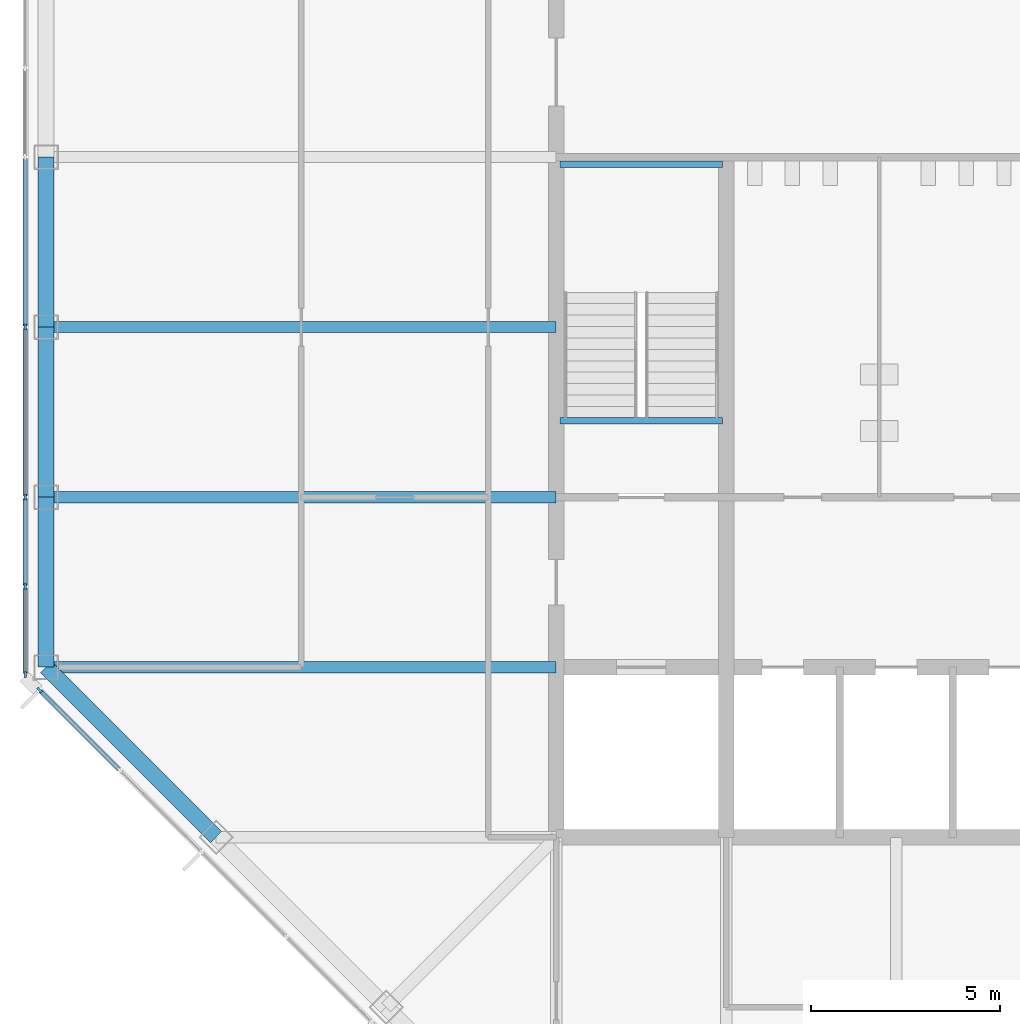
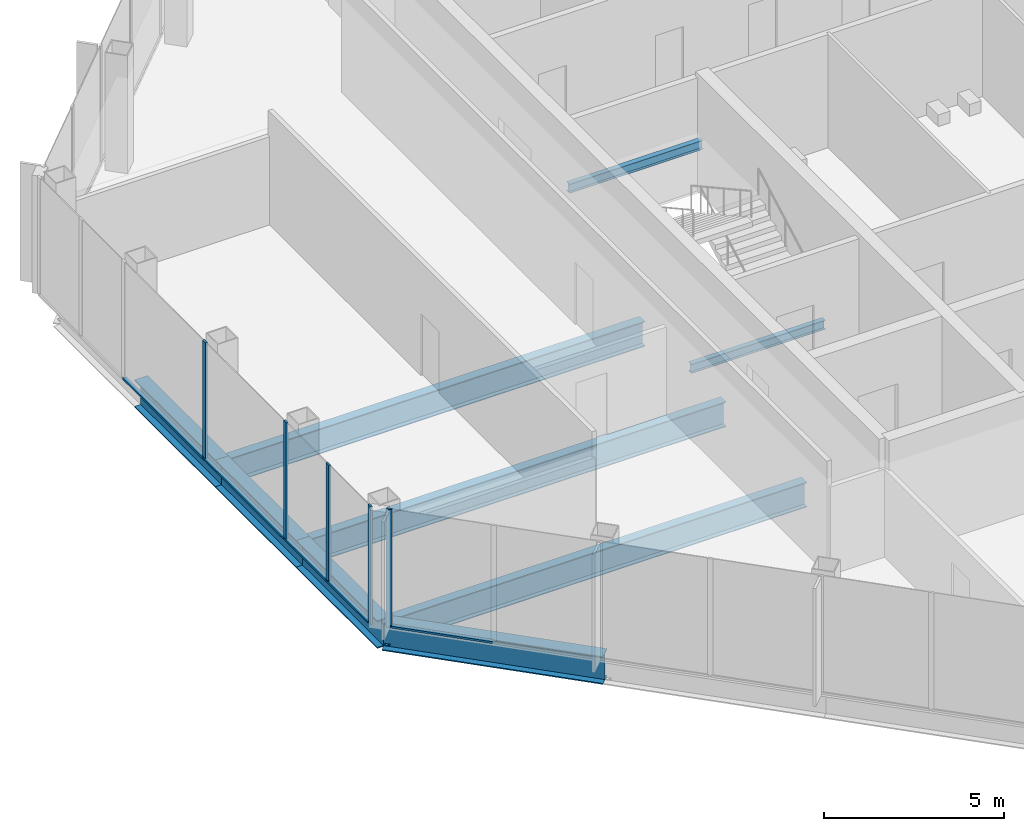
# One storey, part 3 of 13: 10 members, 9 beams, 2 elements without a shape of their own.
"""IFC4 building model written with IfcOpenShell, lengths in metres."""

from ifc_helpers import new_model, si_unit, direction, frame, origin, origin_2d, place, context, subcontext, project, spatial, rectangle, i_section, extrude, material, material_profile, profile_set, type_object, element, aggregate, save


model = new_model("IFC4")

# Units and contexts
model_context = context("Model", 3, precision=1e-05, world=origin(), true_north=direction((0.0, 1.0)))
body_context = subcontext(model_context, "Body", "Model", "MODEL_VIEW")
ifc_project = project(units=[si_unit("LENGTHUNIT", "METRE"), si_unit("AREAUNIT", "SQUARE_METRE"), si_unit("VOLUMEUNIT", "CUBIC_METRE"), si_unit("PLANEANGLEUNIT", "RADIAN"), si_unit("MASSUNIT", "GRAM", prefix="KILO")], contexts=[model_context])

# Site, building, storey
site_placement = place(None, origin())
site = spatial("IfcSite", under=ifc_project, at=site_placement, CompositionType="ELEMENT")
building_placement = place(site_placement, origin())
building = spatial("IfcBuilding", under=site, at=building_placement, Name="Corais Broadcast Tower", CompositionType="ELEMENT")
storey_placement = place(building_placement, frame((0.0, 0.0, 210.60009765625)))
storey = spatial("IfcBuildingStorey", under=building, at=storey_placement, Name="L48", CompositionType="ELEMENT", Elevation=210.60009765625)

# Beams
ifc_material_1 = material(Name="Steel ASTM A572 Grade 50", Category="steel")
ifc_material_profile_1 = material_profile(ifc_material_1, i_section(OverallWidth=0.2939453125, OverallDepth=0.85107421875, WebThickness=0.01611328125, FlangeThickness=0.02685546875, at=origin_2d()), Name="W840x226")
ifc_profile_set_1 = profile_set([ifc_material_profile_1], Name="Steel ASTM A572 Grade 50")
beam_type_1 = type_object("IfcBeamType", Name="Floor beam W840x226", PredefinedType="BEAM", material=ifc_profile_set_1)
for number, where, z_axis, x_axis, name in (
    (1, (0.0, 18.0, -0.585693359375), (1.0, 0.0, 0.0), (0.0, 1.0, 0.0), "B1 E/3 to E/6"),
    (2, (0.0, 22.5, -0.585693359375), (1.0, 0.0, 0.0), (0.0, 1.0, 0.0), "B1 F/3 to F/6"),
    (3, (0.0, 27.0, -0.585693359375), (1.0, 0.0, 0.0), (0.0, 1.0, 0.0), "B1 G/3 to G/6"),
):
    element("IfcBeam", number, at=place(storey_placement, frame(where, z_axis=z_axis, x_axis=x_axis)), inside=storey, type_object=beam_type_1, Name=name, PredefinedType="BEAM", context=body_context, shape_type="SweptSolid", body=[
        extrude(i_section(OverallWidth=0.2939453125, OverallDepth=0.85107421875, WebThickness=0.01611328125, FlangeThickness=0.02685546875, at=origin_2d()), origin(), (0.0, 0.0, 1.0), 13.5),
    ])
ifc_material_2 = material(Name="Steel ASTM A572 Grade 50", Category="steel")
ifc_material_profile_2 = material_profile(ifc_material_2, i_section(OverallWidth=0.1650390625, OverallDepth=0.31005859375, WebThickness=0.005859375, FlangeThickness=0.009765625, at=origin_2d()), Name="W310x38.7")
ifc_profile_set_2 = profile_set([ifc_material_profile_2], Name="Steel ASTM A572 Grade 50")
beam_type_2 = type_object("IfcBeamType", Name="Landing trimmer W310x38.7", PredefinedType="BEAM", material=ifc_profile_set_2)
for number, where, z_axis, x_axis, name in (
    (4, (13.60009765625, 24.52490234375, -0.35498046875), (1.0, 0.0, 0.0), (0.0, 1.0, 0.0), "LT1 stair A landing trimmer L48"),
    (5, (13.60009765625, 31.31005859375, 1.64501953125), (1.0, 0.0, 0.0), (0.0, 1.0, 0.0), "LT1 stair A half landing trimmer L48"),
):
    element("IfcBeam", number, at=place(storey_placement, frame(where, z_axis=z_axis, x_axis=x_axis)), inside=storey, type_object=beam_type_2, Name=name, PredefinedType="BEAM", context=body_context, shape_type="SweptSolid", body=[
        extrude(i_section(OverallWidth=0.1650390625, OverallDepth=0.31005859375, WebThickness=0.005859375, FlangeThickness=0.009765625, at=origin_2d()), origin(), (0.0, 0.0, 1.0), 4.2998046875),
    ])

# Curtain wall, member
ifc_material_3 = material(Name="Aluminium and glass", Category="aluminium")
curtain_wall_type = type_object("IfcCurtainWallType", Name="Unitised fritted curtain wall CW3", PredefinedType="NOTDEFINED", material=ifc_material_3)
curtain_wall_1_placement = place(storey_placement, origin())
curtain_wall_1 = element("IfcCurtainWall", 6, at=curtain_wall_1_placement, inside=storey, type_object=curtain_wall_type, Name="CW3 curtain wall L48 1", PredefinedType="NOTDEFINED")
ifc_material_4 = material(Name="Aluminium 6063-T6", Category="aluminium")
ifc_material_profile_3 = material_profile(ifc_material_4, rectangle(XDim=0.06494140625, YDim=0.159912109375, at=origin_2d()), Name="Mullion CW3 65x160")
ifc_profile_set_3 = profile_set([ifc_material_profile_3], Name="Aluminium 6063-T6")
member_type_1 = type_object("IfcMemberType", Name="Mullion CW3 65x160", PredefinedType="MULLION", material=ifc_profile_set_3)
member_1_placement = place(storey_placement, frame((-0.17333984375, 17.3955078125, 0.0), z_axis=(0.0, 0.0, 1.0), x_axis=(-0.707106781187, -0.707106781187, 0.0)))
member_1 = element("IfcMember", 7, at=member_1_placement, type_object=member_type_1, Name="CW3 mullion 9", PredefinedType="MULLION", context=body_context, shape_type="SweptSolid", body=[
    extrude(rectangle(XDim=0.06494140625, YDim=0.159912109375, at=origin_2d()), origin(), (0.0, 0.0, 1.0), 4.0),
])

# Curtain wall, members
curtain_wall_2_placement = place(storey_placement, origin())
curtain_wall_2 = element("IfcCurtainWall", 8, at=curtain_wall_2_placement, inside=storey, type_object=curtain_wall_type, Name="CW3 curtain wall L48 2", PredefinedType="NOTDEFINED")
member_2_placement = place(storey_placement, frame((-0.550048828125, 17.8046875, 0.0), z_axis=(0.0, 0.0, 1.0), x_axis=(-1.0, 0.0, 0.0)))
member_2 = element("IfcMember", 9, at=member_2_placement, type_object=member_type_1, Name="CW3 mullion 1", PredefinedType="MULLION", context=body_context, shape_type="SweptSolid", body=[
    extrude(rectangle(XDim=0.06494140625, YDim=0.159912109375, at=origin_2d()), origin(), (0.0, 0.0, 1.0), 4.0),
])
member_3_placement = place(storey_placement, frame((-0.550048828125, 20.135986328125, 0.0), z_axis=(0.0, 0.0, 1.0), x_axis=(-1.0, 0.0, 0.0)))
member_3 = element("IfcMember", 10, at=member_3_placement, type_object=member_type_1, Name="CW3 mullion 2", PredefinedType="MULLION", context=body_context, shape_type="SweptSolid", body=[
    extrude(rectangle(XDim=0.06494140625, YDim=0.159912109375, at=origin_2d()), origin(), (0.0, 0.0, 1.0), 4.0),
])
member_4_placement = place(storey_placement, frame((-0.550048828125, 22.5, 0.0), z_axis=(0.0, 0.0, 1.0), x_axis=(-1.0, 0.0, 0.0)))
member_4 = element("IfcMember", 11, at=member_4_placement, type_object=member_type_1, Name="CW3 mullion 3", PredefinedType="MULLION", context=body_context, shape_type="SweptSolid", body=[
    extrude(rectangle(XDim=0.06494140625, YDim=0.159912109375, at=origin_2d()), origin(), (0.0, 0.0, 1.0), 4.0),
])
member_5_placement = place(storey_placement, frame((-0.550048828125, 27.0, 0.0), z_axis=(0.0, 0.0, 1.0), x_axis=(-1.0, 0.0, 0.0)))
member_5 = element("IfcMember", 12, at=member_5_placement, type_object=member_type_1, Name="CW3 mullion 4", PredefinedType="MULLION", context=body_context, shape_type="SweptSolid", body=[
    extrude(rectangle(XDim=0.06494140625, YDim=0.159912109375, at=origin_2d()), origin(), (0.0, 0.0, 1.0), 4.0),
])

# Beams
ifc_material_5 = material(Name="Steel ASTM A572 Grade 50", Category="steel")
ifc_material_profile_4 = material_profile(ifc_material_5, i_section(OverallWidth=0.4189453125, OverallDepth=0.94189453125, WebThickness=0.022216796875, FlangeThickness=0.03662109375, at=origin_2d()), Name="W920x345")
ifc_profile_set_4 = profile_set([ifc_material_profile_4], Name="Steel ASTM A572 Grade 50")
beam_type_3 = type_object("IfcBeamType", Name="Transfer spandrel W920x345", PredefinedType="BEAM", material=ifc_profile_set_4)
beam_placement = place(storey_placement, frame((0.0, 18.0, -0.631103515625), z_axis=(0.707106781187, -0.707106781187, 0.0), x_axis=(0.707106781187, 0.707106781187, 0.0)))
element("IfcBeam", 13, at=beam_placement, inside=storey, type_object=beam_type_3, Name="SB4 E/3 to D/4", PredefinedType="BEAM", context=body_context, shape_type="SweptSolid", body=[
    extrude(i_section(OverallWidth=0.4189453125, OverallDepth=0.94189453125, WebThickness=0.022216796875, FlangeThickness=0.03662109375, at=origin_2d()), origin(), (0.0, 0.0, 1.0), 6.364013671875),
])
for number, where, z_axis, x_axis, name in (
    (14, (0.0, 22.5, -0.631103515625), (0.0, -1.0, 0.0), (1.0, 0.0, 0.0), "SB4 F/3 to E/3"),
    (15, (0.0, 27.0, -0.631103515625), (0.0, -1.0, 0.0), (1.0, 0.0, 0.0), "SB4 G/3 to F/3"),
    (16, (0.0, 31.5, -0.631103515625), (0.0, -1.0, 0.0), (1.0, 0.0, 0.0), "SB4 H/3 to G/3"),
):
    element("IfcBeam", number, at=place(storey_placement, frame(where, z_axis=z_axis, x_axis=x_axis)), inside=storey, type_object=beam_type_3, Name=name, PredefinedType="BEAM", context=body_context, shape_type="SweptSolid", body=[
        extrude(i_section(OverallWidth=0.4189453125, OverallDepth=0.94189453125, WebThickness=0.022216796875, FlangeThickness=0.03662109375, at=origin_2d()), origin(), (0.0, 0.0, 1.0), 4.5),
    ])

# Member
ifc_material_6 = material(Name="Aluminium 6063-T6", Category="aluminium")
ifc_material_profile_5 = material_profile(ifc_material_6, rectangle(XDim=0.1201171875, YDim=0.06494140625, at=origin_2d()), Name="Transom CW3 65x120")
ifc_profile_set_5 = profile_set([ifc_material_profile_5], Name="Aluminium 6063-T6")
member_type_2 = type_object("IfcMemberType", Name="Transom CW3 65x120", PredefinedType="USERDEFINED", material=ifc_profile_set_5)
member_6_placement = place(storey_placement, frame((1.934326171875, 15.287841796875, 0.032470703125), z_axis=(-0.707106781187, 0.707106781187, 0.0), x_axis=(-0.707106781187, -0.707106781187, 0.0)))
member_6 = element("IfcMember", 17, at=member_6_placement, type_object=member_type_2, Name="CW3 transom 8.1", ObjectType="TRANSOM", PredefinedType="USERDEFINED", context=body_context, shape_type="SweptSolid", body=[
    extrude(rectangle(XDim=0.1201171875, YDim=0.06494140625, at=origin_2d()), origin(), (0.0, 0.0, 1.0), 2.9482421875),
])

aggregate(curtain_wall_1, [member_1, member_6])

member_7_placement = place(storey_placement, frame((-0.550048828125, 17.837158203125, 0.032470703125), z_axis=(0.0, 1.0, 0.0), x_axis=(-1.0, 0.0, 0.0)))
member_7 = element("IfcMember", 18, at=member_7_placement, type_object=member_type_2, Name="CW3 transom 1.1", ObjectType="TRANSOM", PredefinedType="USERDEFINED", context=body_context, shape_type="SweptSolid", body=[
    extrude(rectangle(XDim=0.1201171875, YDim=0.06494140625, at=origin_2d()), origin(), (0.0, 0.0, 1.0), 2.266357421875),
])

member_8_placement = place(storey_placement, frame((-0.550048828125, 20.168701171875, 0.032470703125), z_axis=(0.0, 1.0, 0.0), x_axis=(-1.0, 0.0, 0.0)))
member_8 = element("IfcMember", 19, at=member_8_placement, type_object=member_type_2, Name="CW3 transom 2.1", ObjectType="TRANSOM", PredefinedType="USERDEFINED", context=body_context, shape_type="SweptSolid", body=[
    extrude(rectangle(XDim=0.1201171875, YDim=0.06494140625, at=origin_2d()), origin(), (0.0, 0.0, 1.0), 2.298828125),
])

member_9_placement = place(storey_placement, frame((-0.550048828125, 22.532470703125, 0.032470703125), z_axis=(0.0, 1.0, 0.0), x_axis=(-1.0, 0.0, 0.0)))
member_9 = element("IfcMember", 20, at=member_9_placement, type_object=member_type_2, Name="CW3 transom 3.1", ObjectType="TRANSOM", PredefinedType="USERDEFINED", context=body_context, shape_type="SweptSolid", body=[
    extrude(rectangle(XDim=0.1201171875, YDim=0.06494140625, at=origin_2d()), origin(), (0.0, 0.0, 1.0), 4.43505859375),
])

member_10_placement = place(storey_placement, frame((-0.550048828125, 27.032470703125, 0.032470703125), z_axis=(0.0, 1.0, 0.0), x_axis=(-1.0, 0.0, 0.0)))
member_10 = element("IfcMember", 21, at=member_10_placement, type_object=member_type_2, Name="CW3 transom 4.1", ObjectType="TRANSOM", PredefinedType="USERDEFINED", context=body_context, shape_type="SweptSolid", body=[
    extrude(rectangle(XDim=0.1201171875, YDim=0.06494140625, at=origin_2d()), origin(), (0.0, 0.0, 1.0), 4.43505859375),
])

aggregate(curtain_wall_2, [member_2, member_3, member_4, member_5, member_7, member_8, member_9, member_10])

save(model, "model.ifc")
